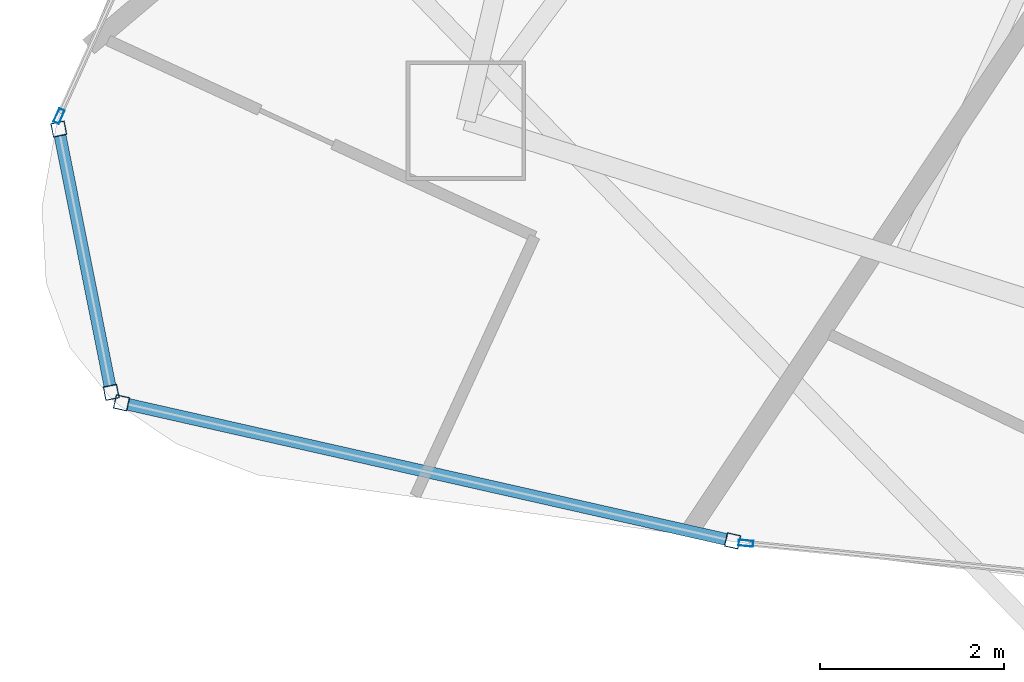
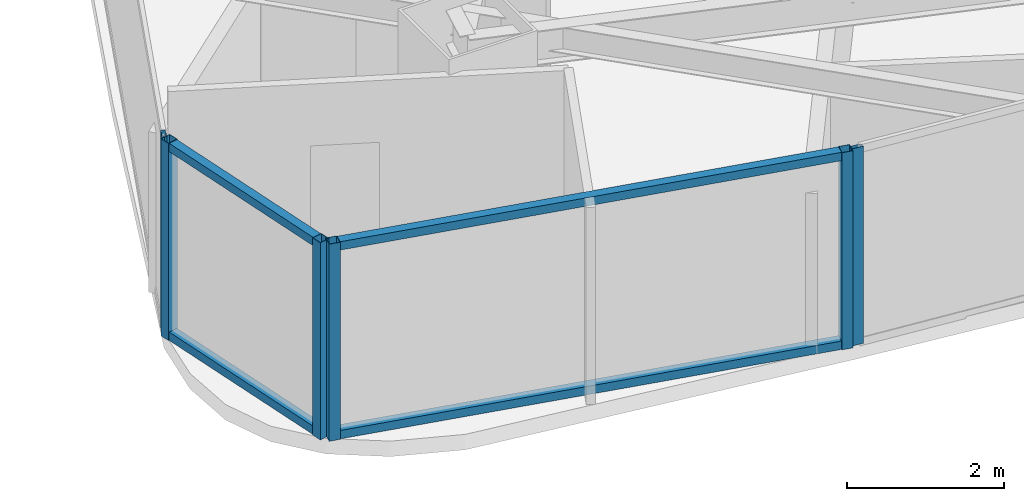
# One storey, part 2 of 33: 10 members, 4 elements without a shape of their own.
"""IFC4 building model written with IfcOpenShell, lengths in metres."""

from ifc_helpers import new_model, si_unit, direction, frame, origin, origin_2d, place, context, subcontext, project, spatial, hollow_rectangle, extrude, material, layer, layer_set, material_profile, profile_set, type_object, element, aggregate, save


model = new_model("IFC4")

# Units and contexts
model_context = context("Model", 3, precision=1e-05, world=origin(), true_north=direction((0.0, 1.0)))
body_context = subcontext(model_context, "Body", "Model", "MODEL_VIEW")
ifc_project = project(units=[si_unit("LENGTHUNIT", "METRE"), si_unit("AREAUNIT", "SQUARE_METRE"), si_unit("VOLUMEUNIT", "CUBIC_METRE"), si_unit("PLANEANGLEUNIT", "RADIAN"), si_unit("MASSUNIT", "GRAM", prefix="KILO")], contexts=[model_context])

# Site, building, storey
site_placement = place(None, origin())
site = spatial("IfcSite", under=ifc_project, at=site_placement, CompositionType="ELEMENT")
building_placement = place(site_placement, origin())
building = spatial("IfcBuilding", under=site, at=building_placement, Name="Orvanel Arch Residences", CompositionType="ELEMENT")
storey_placement = place(building_placement, frame((0.0, 0.0, 212.89990234375)))
storey = spatial("IfcBuildingStorey", under=building, at=storey_placement, Name="L60", CompositionType="ELEMENT", Elevation=212.89990234375)

# Curtain wall, members
ifc_material = material(Name="Bronze-anodised aluminium AA6063-T6", Category="aluminium")
ifc_layer_1 = layer(ifc_material, 0.18994140625)
ifc_layer_set_1 = layer_set([ifc_layer_1], Name="Bronze-anodised aluminium AA6063-T6")
curtain_wall_type_1 = type_object("IfcCurtainWallType", Name="CW5-CRN-SYS", PredefinedType="NOTDEFINED", material=ifc_layer_set_1)
curtain_wall_1_placement = place(storey_placement, origin())
curtain_wall_1 = element("IfcCurtainWall", 1, at=curtain_wall_1_placement, inside=storey, type_object=curtain_wall_type_1, Name="L60 CW5-CRN-SYS Unitised Curtain Wall", PredefinedType="NOTDEFINED")
ifc_material_profile_1 = material_profile(ifc_material, hollow_rectangle(XDim=0.14990234375, YDim=0.14990234375, WallThickness=0.0048828125, at=origin_2d()), Name="ALU150x150x5")
ifc_profile_set_1 = profile_set([ifc_material_profile_1], Name="Bronze-anodised aluminium AA6063-T6")
member_type_1 = type_object("IfcMemberType", Name="MUL-150x150", PredefinedType="MULLION", material=ifc_profile_set_1)
member_1_placement = place(storey_placement, frame((9.7626953125, 10.259521484375, 0.0), z_axis=(0.0, 0.0, 1.0), x_axis=(0.980730420176, 0.195365920622, 0.0)))
member_1 = element("IfcMember", 2, at=member_1_placement, type_object=member_type_1, Name="CW-S5 mullion 1", PredefinedType="MULLION", context=body_context, shape_type="SweptSolid", body=[
    extrude(hollow_rectangle(XDim=0.14990234375, YDim=0.14990234375, WallThickness=0.0048828125, at=origin_2d()), origin(), (0.0, 0.0, 1.0), 3.06005859375),
])
member_2_placement = place(storey_placement, frame((10.334228515625, 7.3896484375, 0.0), z_axis=(0.0, 0.0, 1.0), x_axis=(0.980730420176, 0.195365920622, 0.0)))
member_2 = element("IfcMember", 3, at=member_2_placement, type_object=member_type_1, Name="CW-S5 mullion 2", PredefinedType="MULLION", context=body_context, shape_type="SweptSolid", body=[
    extrude(hollow_rectangle(XDim=0.14990234375, YDim=0.14990234375, WallThickness=0.0048828125, at=origin_2d()), origin(), (0.0, 0.0, 1.0), 3.06005859375),
])

curtain_wall_2_placement = place(storey_placement, origin())
curtain_wall_2 = element("IfcCurtainWall", 4, at=curtain_wall_2_placement, inside=storey, type_object=curtain_wall_type_1, Name="L60 CW5-CRN-SYS Unitised Curtain Wall", PredefinedType="NOTDEFINED")
member_3_placement = place(storey_placement, frame((10.446044921875, 7.275390625, 0.0), z_axis=(0.0, 0.0, 1.0), x_axis=(0.220282866037, 0.975436035284, 0.0)))
member_3 = element("IfcMember", 5, at=member_3_placement, type_object=member_type_1, Name="CW-S5 mullion 1", PredefinedType="MULLION", context=body_context, shape_type="SweptSolid", body=[
    extrude(hollow_rectangle(XDim=0.14990234375, YDim=0.14990234375, WallThickness=0.0048828125, at=origin_2d()), origin(), (0.0, 0.0, 1.0), 3.06005859375),
])
member_4_placement = place(storey_placement, frame((17.10595703125, 5.771484375, 0.0), z_axis=(0.0, 0.0, 1.0), x_axis=(0.220282866037, 0.975436035284, 0.0)))
member_4 = element("IfcMember", 6, at=member_4_placement, type_object=member_type_1, Name="CW-S5 mullion 2", PredefinedType="MULLION", context=body_context, shape_type="SweptSolid", body=[
    extrude(hollow_rectangle(XDim=0.14990234375, YDim=0.14990234375, WallThickness=0.0048828125, at=origin_2d()), origin(), (0.0, 0.0, 1.0), 3.06005859375),
])

# Curtain wall, member
ifc_layer_2 = layer(ifc_material, 0.175048828125)
ifc_layer_set_2 = layer_set([ifc_layer_2], Name="Bronze-anodised aluminium AA6063-T6")
curtain_wall_type_2 = type_object("IfcCurtainWallType", Name="CW4-HI-SYS", PredefinedType="NOTDEFINED", material=ifc_layer_set_2)
curtain_wall_3_placement = place(storey_placement, origin())
curtain_wall_3 = element("IfcCurtainWall", 7, at=curtain_wall_3_placement, inside=storey, type_object=curtain_wall_type_2, Name="L60 CW4-HI-SYS Unitised Curtain Wall", PredefinedType="NOTDEFINED")
ifc_material_profile_2 = material_profile(ifc_material, hollow_rectangle(XDim=0.06494140625, YDim=0.159912109375, WallThickness=0.00390625, at=origin_2d()), Name="ALU160x65x4")
ifc_profile_set_2 = profile_set([ifc_material_profile_2], Name="Bronze-anodised aluminium AA6063-T6")
member_type_2 = type_object("IfcMemberType", Name="MUL-160x65", PredefinedType="MULLION", material=ifc_profile_set_2)
member_5_placement = place(storey_placement, frame((9.765380859375, 10.400634765625, 0.0), z_axis=(0.0, 0.0, 1.0), x_axis=(0.911395859217, -0.411530785971, 0.0)))
member_5 = element("IfcMember", 8, at=member_5_placement, type_object=member_type_2, Name="CW-S4 mullion 3", PredefinedType="MULLION", context=body_context, shape_type="SweptSolid", body=[
    extrude(hollow_rectangle(XDim=0.06494140625, YDim=0.159912109375, WallThickness=0.00390625, at=origin_2d()), origin(), (0.0, 0.0, 1.0), 3.06005859375),
])
aggregate(curtain_wall_3, [member_5])

curtain_wall_4_placement = place(storey_placement, origin())
curtain_wall_4 = element("IfcCurtainWall", 9, at=curtain_wall_4_placement, inside=storey, type_object=curtain_wall_type_2, Name="L60 CW4-HI-SYS Unitised Curtain Wall", PredefinedType="NOTDEFINED")
member_6_placement = place(storey_placement, frame((17.251220703125, 5.745849609375, 0.0), z_axis=(0.0, 0.0, 1.0), x_axis=(0.098621122229, 0.995125054579, 0.0)))
member_6 = element("IfcMember", 10, at=member_6_placement, type_object=member_type_2, Name="CW-S4 mullion 1", PredefinedType="MULLION", context=body_context, shape_type="SweptSolid", body=[
    extrude(hollow_rectangle(XDim=0.06494140625, YDim=0.159912109375, WallThickness=0.00390625, at=origin_2d()), origin(), (0.0, 0.0, 1.0), 3.06005859375),
])
aggregate(curtain_wall_4, [member_6])

# Member
ifc_material_profile_3 = material_profile(ifc_material, hollow_rectangle(XDim=0.1298828125, YDim=0.1298828125, WallThickness=0.00439453125, at=origin_2d()), Name="ALU130x130x4.5")
ifc_profile_set_3 = profile_set([ifc_material_profile_3], Name="Bronze-anodised aluminium AA6063-T6")
member_type_3 = type_object("IfcMemberType", Name="TRN-130x130", PredefinedType="USERDEFINED", material=ifc_profile_set_3)
member_7_placement = place(storey_placement, frame((9.77734375, 10.185791015625, 0.065185546875), z_axis=(0.1953212021, -0.980739327248, 0.0), x_axis=(0.980739327248, 0.1953212021, 0.0)))
member_7 = element("IfcMember", 11, at=member_7_placement, type_object=member_type_3, Name="CW-S5 transom 1.1", ObjectType="TRANSOM", PredefinedType="USERDEFINED", context=body_context, shape_type="SweptSolid", body=[
    extrude(hollow_rectangle(XDim=0.1298828125, YDim=0.1298828125, WallThickness=0.00439453125, at=origin_2d()), origin(), (0.0, 0.0, 1.0), 2.776123046875),
])

member_8_placement = place(storey_placement, frame((9.77734375, 10.185791015625, 2.9951171875), z_axis=(0.1953212021, -0.980739327248, 0.0), x_axis=(0.980739327248, 0.1953212021, 0.0)))
member_8 = element("IfcMember", 12, at=member_8_placement, type_object=member_type_3, Name="CW-S5 transom 1.2", ObjectType="TRANSOM", PredefinedType="USERDEFINED", context=body_context, shape_type="SweptSolid", body=[
    extrude(hollow_rectangle(XDim=0.1298828125, YDim=0.1298828125, WallThickness=0.00439453125, at=origin_2d()), origin(), (0.0, 0.0, 1.0), 2.776123046875),
])

aggregate(curtain_wall_1, [member_1, member_2, member_7, member_8])

member_9_placement = place(storey_placement, frame((10.519287109375, 7.259033203125, 0.065185546875), z_axis=(0.975435426968, -0.220285559709, 0.0), x_axis=(0.220285559709, 0.975435426968, 0.0)))
member_9 = element("IfcMember", 13, at=member_9_placement, type_object=member_type_3, Name="CW-S5 transom 1.1", ObjectType="TRANSOM", PredefinedType="USERDEFINED", context=body_context, shape_type="SweptSolid", body=[
    extrude(hollow_rectangle(XDim=0.1298828125, YDim=0.1298828125, WallThickness=0.00439453125, at=origin_2d()), origin(), (0.0, 0.0, 1.0), 6.677490234375),
])

member_10_placement = place(storey_placement, frame((10.519287109375, 7.259033203125, 2.9951171875), z_axis=(0.975435426968, -0.220285559709, 0.0), x_axis=(0.220285559709, 0.975435426968, 0.0)))
member_10 = element("IfcMember", 14, at=member_10_placement, type_object=member_type_3, Name="CW-S5 transom 1.2", ObjectType="TRANSOM", PredefinedType="USERDEFINED", context=body_context, shape_type="SweptSolid", body=[
    extrude(hollow_rectangle(XDim=0.1298828125, YDim=0.1298828125, WallThickness=0.00439453125, at=origin_2d()), origin(), (0.0, 0.0, 1.0), 6.677490234375),
])

aggregate(curtain_wall_2, [member_3, member_4, member_9, member_10])

save(model, "model.ifc")
